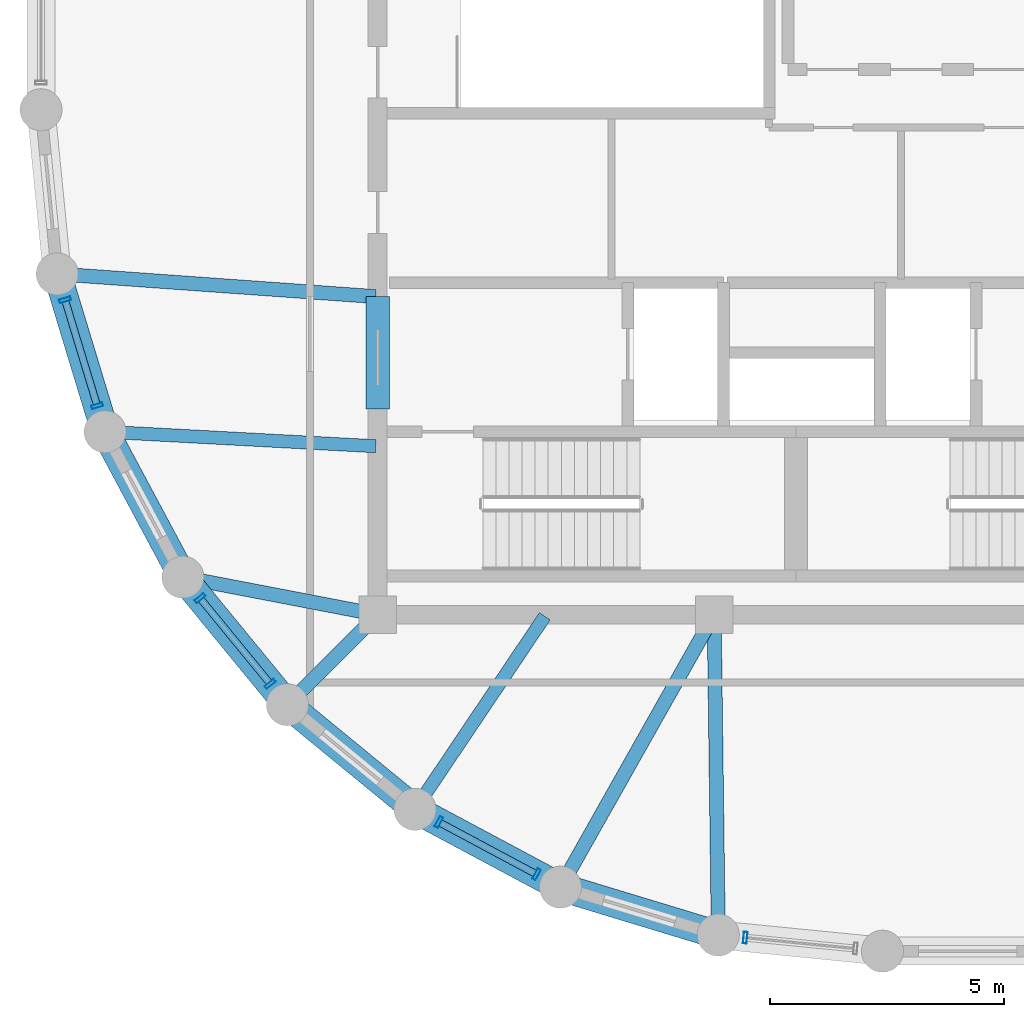
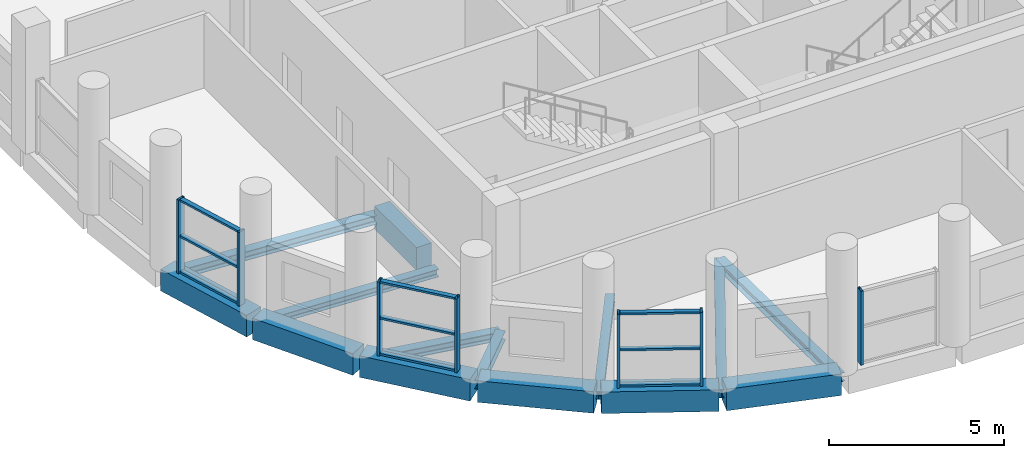
# One storey, part 2 of 14: 16 members, 14 beams, 4 elements without a shape of their own.
"""IFC4 building model written with IfcOpenShell, lengths in metres."""

from ifc_helpers import new_model, si_unit, direction, frame, origin, origin_2d, place, context, subcontext, project, spatial, rectangle, hollow_rectangle, i_section, extrude, material, layer, layer_set, material_profile, profile_set, type_object, element, aggregate, save


model = new_model("IFC4")

# Units and contexts
model_context = context("Model", 3, precision=1e-05, world=origin(), true_north=direction((0.0, 1.0)))
body_context = subcontext(model_context, "Body", "Model", "MODEL_VIEW")
ifc_project = project(units=[si_unit("LENGTHUNIT", "METRE"), si_unit("AREAUNIT", "SQUARE_METRE"), si_unit("VOLUMEUNIT", "CUBIC_METRE"), si_unit("PLANEANGLEUNIT", "RADIAN"), si_unit("MASSUNIT", "GRAM", prefix="KILO")], contexts=[model_context])

# Site, building, storey
site_placement = place(None, origin())
site = spatial("IfcSite", under=ifc_project, at=site_placement, CompositionType="ELEMENT")
building_placement = place(site_placement, origin())
building = spatial("IfcBuilding", under=site, at=building_placement, Name="Solnavia Interchange Tower", CompositionType="ELEMENT")
storey_placement = place(building_placement, frame((0.0, 0.0, 299.800048828125)))
storey = spatial("IfcBuildingStorey", under=building, at=storey_placement, Name="L76", CompositionType="ELEMENT", Elevation=299.800048828125)

# Beams
ifc_material_1 = material(Name="Concrete C50/60", Category="concrete")
ifc_material_profile_1 = material_profile(ifc_material_1, rectangle(XDim=0.5, YDim=0.800048828125, at=origin_2d()), Name="RC 500x800")
ifc_profile_set_1 = profile_set([ifc_material_profile_1], Name="Concrete C50/60")
beam_type_1 = type_object("IfcBeamType", Name="Beam-Coupling-RC500x800", PredefinedType="LINTEL", material=ifc_profile_set_1)
beam_1_placement = place(storey_placement, frame((14.39990234375, 15.199951171875, -0.400146484375), z_axis=(0.0, 1.0, 0.0), x_axis=(-1.0, 0.0, 0.0)))
element("IfcBeam", 1, at=beam_1_placement, inside=storey, type_object=beam_type_1, Name="CPB-L76-W1 Core coupling lintel beam", PredefinedType="LINTEL", context=body_context, shape_type="SweptSolid", body=[
    extrude(rectangle(XDim=0.5, YDim=0.800048828125, at=origin_2d()), origin(), (0.0, 0.0, 1.0), 2.400146484375),
])
ifc_material_2 = material(Name="Steel S460", Category="steel")
ifc_material_profile_2 = material_profile(ifc_material_2, i_section(OverallWidth=0.300048828125, OverallDepth=0.300048828125, WebThickness=0.010986328125, FlangeThickness=0.01904296875, FilletRadius=0.027099609375, at=origin_2d()), Name="HEB 300")
ifc_profile_set_2 = profile_set([ifc_material_profile_2], Name="Steel S460")
beam_type_2 = type_object("IfcBeamType", Name="Beam-Girder-HEB300", PredefinedType="BEAM", material=ifc_profile_set_2)
beam_2_placement = place(storey_placement, frame((10.3125, 11.5849609375, -0.400146484375), z_axis=(0.982057527796, -0.188581579428, 0.0), x_axis=(0.188581579428, 0.982057527796, 0.0)))
element("IfcBeam", 2, at=beam_2_placement, inside=storey, type_object=beam_type_2, Name="GRD-L76-DR07 Drum radial floor girder", PredefinedType="BEAM", context=body_context, shape_type="SweptSolid", body=[
    extrude(i_section(OverallWidth=0.300048828125, OverallDepth=0.300048828125, WebThickness=0.010986328125, FlangeThickness=0.01904296875, FilletRadius=0.027099609375, at=origin_2d()), origin(), (0.0, 0.0, 1.0), 4.1220703125),
])
beam_3_placement = place(storey_placement, frame((18.351318359375, 5.039794921875, -0.400146484375), z_axis=(0.491243158486, 0.871022479182, 0.0), x_axis=(-0.871022479182, 0.491243158486, 0.0)))
element("IfcBeam", 3, at=beam_3_placement, inside=storey, type_object=beam_type_2, Name="GRD-L76-DR10 Drum radial floor girder", PredefinedType="BEAM", context=body_context, shape_type="SweptSolid", body=[
    extrude(i_section(OverallWidth=0.300048828125, OverallDepth=0.300048828125, WebThickness=0.010986328125, FlangeThickness=0.01904296875, FilletRadius=0.027099609375, at=origin_2d()), origin(), (0.0, 0.0, 1.0), 6.5732421875),
])
ifc_material_3 = material(Name="Steel S355", Category="steel")
ifc_material_profile_3 = material_profile(ifc_material_3, i_section(OverallWidth=0.280029296875, OverallDepth=0.27001953125, WebThickness=0.008056640625, FlangeThickness=0.012939453125, FilletRadius=0.02392578125, at=origin_2d()), Name="HEA 280")
ifc_profile_set_3 = profile_set([ifc_material_profile_3], Name="Steel S355")
beam_type_3 = type_object("IfcBeamType", Name="Beam-Primary-HEA280", PredefinedType="BEAM", material=ifc_profile_set_3)
beam_4_placement = place(storey_placement, frame((8.64990234375, 14.707763671875, -0.385009765625), z_axis=(0.998570371303, -0.053452909696, 0.0), x_axis=(0.053452909696, 0.998570371303, 0.0)))
element("IfcBeam", 4, at=beam_4_placement, inside=storey, type_object=beam_type_3, Name="GRD-L76-DR06 Drum radial floor girder", PredefinedType="BEAM", context=body_context, shape_type="SweptSolid", body=[
    extrude(i_section(OverallWidth=0.280029296875, OverallDepth=0.27001953125, WebThickness=0.008056640625, FlangeThickness=0.012939453125, FilletRadius=0.02392578125, at=origin_2d()), origin(), (0.0, 0.0, 1.0), 5.71826171875),
])
beam_5_placement = place(storey_placement, frame((15.24462890625, 6.700439453125, -0.385009765625), z_axis=(0.557835474219, 0.829951555033, 0.0), x_axis=(-0.829951555033, 0.557835474219, 0.0)))
element("IfcBeam", 5, at=beam_5_placement, inside=storey, type_object=beam_type_3, Name="GRD-L76-DR09 Drum radial floor girder", PredefinedType="BEAM", context=body_context, shape_type="SweptSolid", body=[
    extrude(i_section(OverallWidth=0.280029296875, OverallDepth=0.27001953125, WebThickness=0.008056640625, FlangeThickness=0.012939453125, FilletRadius=0.02392578125, at=origin_2d()), origin(), (0.0, 0.0, 1.0), 4.899658203125),
])
ifc_material_profile_4 = material_profile(ifc_material_3, i_section(OverallWidth=0.300048828125, OverallDepth=0.31005859375, WebThickness=0.009033203125, FlangeThickness=0.015380859375, FilletRadius=0.027099609375, at=origin_2d()), Name="HEA 320")
ifc_profile_set_4 = profile_set([ifc_material_profile_4], Name="Steel S355")
beam_type_4 = type_object("IfcBeamType", Name="Beam-Primary-HEA320", PredefinedType="BEAM", material=ifc_profile_set_4)
beam_6_placement = place(storey_placement, frame((7.625732421875, 18.082275390625, -0.405029296875), z_axis=(0.99747482749, -0.071020902015, 0.0), x_axis=(0.071020902015, 0.99747482749, 0.0)))
element("IfcBeam", 6, at=beam_6_placement, inside=storey, type_object=beam_type_4, Name="GRD-L76-DR05 Drum radial floor girder", PredefinedType="BEAM", context=body_context, shape_type="SweptSolid", body=[
    extrude(i_section(OverallWidth=0.300048828125, OverallDepth=0.31005859375, WebThickness=0.009033203125, FlangeThickness=0.015380859375, FilletRadius=0.027099609375, at=origin_2d()), origin(), (0.0, 0.0, 1.0), 6.75146484375),
])
beam_7_placement = place(storey_placement, frame((12.528564453125, 8.9287109375, -0.405029296875), z_axis=(0.707106781187, 0.707106781187, 0.0), x_axis=(-0.707106781187, 0.707106781187, 0.0)))
element("IfcBeam", 7, at=beam_7_placement, inside=storey, type_object=beam_type_4, Name="GRD-L76-DR08 Drum radial floor girder", PredefinedType="BEAM", context=body_context, shape_type="SweptSolid", body=[
    extrude(i_section(OverallWidth=0.300048828125, OverallDepth=0.31005859375, WebThickness=0.009033203125, FlangeThickness=0.015380859375, FilletRadius=0.027099609375, at=origin_2d()), origin(), (0.0, 0.0, 1.0), 2.6064453125),
])
beam_8_placement = place(storey_placement, frame((21.68701171875, 4.02587890625, -0.405029296875), z_axis=(-0.01283293513, 0.999917654498, 0.0), x_axis=(-0.999917654498, -0.01283293513, 0.0)))
element("IfcBeam", 8, at=beam_8_placement, inside=storey, type_object=beam_type_4, Name="GRD-L76-DR11 Drum radial floor girder", PredefinedType="BEAM", context=body_context, shape_type="SweptSolid", body=[
    extrude(i_section(OverallWidth=0.300048828125, OverallDepth=0.31005859375, WebThickness=0.009033203125, FlangeThickness=0.015380859375, FilletRadius=0.027099609375, at=origin_2d()), origin(), (0.0, 0.0, 1.0), 6.734619140625),
])
ifc_material_profile_5 = material_profile(ifc_material_1, rectangle(XDim=0.60009765625, YDim=0.75, at=origin_2d()), Name="RC 600x750")
ifc_profile_set_5 = profile_set([ifc_material_profile_5], Name="Concrete C50/60")
beam_type_5 = type_object("IfcBeamType", Name="Beam-Spandrel-RC600x750", PredefinedType="SPANDREL", material=ifc_profile_set_5)
beam_9_placement = place(storey_placement, frame((7.569091796875, 18.011474609375, -0.375), z_axis=(0.290319223646, -0.956929855518, 0.0), x_axis=(0.956929855518, 0.290319223646, 0.0)))
element("IfcBeam", 9, at=beam_9_placement, inside=storey, type_object=beam_type_5, Name="SPB-L76-02 Framed-tube perimeter spandrel beam", PredefinedType="SPANDREL", context=body_context, shape_type="SweptSolid", body=[
    extrude(rectangle(XDim=0.60009765625, YDim=0.75, at=origin_2d()), origin(), (0.0, 0.0, 1.0), 3.367919921875),
])
beam_10_placement = place(storey_placement, frame((8.607666015625, 14.6416015625, -0.375), z_axis=(0.471509422952, -0.881861023102, 0.0), x_axis=(0.881861023102, 0.471509422952, 0.0)))
element("IfcBeam", 10, at=beam_10_placement, inside=storey, type_object=beam_type_5, Name="SPB-L76-03 Framed-tube perimeter spandrel beam", PredefinedType="SPANDREL", context=body_context, shape_type="SweptSolid", body=[
    extrude(rectangle(XDim=0.60009765625, YDim=0.75, at=origin_2d()), origin(), (0.0, 0.0, 1.0), 3.369140625),
])
for number, where, z_axis, x_axis, name in (
    (11, (10.28466796875, 11.5380859375, -0.375), (0.634298841675, -0.773087950656, 0.0), (0.773087950656, 0.634298841675, 0.0), "SPB-L76-04 Framed-tube perimeter spandrel beam"),
    (12, (12.53369140625, 8.8212890625, -0.375), (0.773152644452, -0.634219984214, 0.0), (0.634219984214, 0.773152644452, 0.0), "SPB-L76-05 Framed-tube perimeter spandrel beam"),
):
    element("IfcBeam", number, at=place(storey_placement, frame(where, z_axis=z_axis, x_axis=x_axis)), inside=storey, type_object=beam_type_5, Name=name, PredefinedType="SPANDREL", context=body_context, shape_type="SweptSolid", body=[
        extrude(rectangle(XDim=0.60009765625, YDim=0.75, at=origin_2d()), origin(), (0.0, 0.0, 1.0), 3.36865234375),
    ])
beam_11_placement = place(storey_placement, frame((15.2705078125, 6.59619140625, -0.375), z_axis=(0.881875044348, -0.47148319817, 0.0), x_axis=(0.47148319817, 0.881875044348, 0.0)))
element("IfcBeam", 13, at=beam_11_placement, inside=storey, type_object=beam_type_5, Name="SPB-L76-06 Framed-tube perimeter spandrel beam", PredefinedType="SPANDREL", context=body_context, shape_type="SweptSolid", body=[
    extrude(rectangle(XDim=0.60009765625, YDim=0.75, at=origin_2d()), origin(), (0.0, 0.0, 1.0), 3.368896484375),
])
beam_12_placement = place(storey_placement, frame((18.388671875, 4.94677734375, -0.375), z_axis=(0.956943884494, -0.290272978297, 0.0), x_axis=(0.290272978297, 0.956943884494, 0.0)))
element("IfcBeam", 14, at=beam_12_placement, inside=storey, type_object=beam_type_5, Name="SPB-L76-07 Framed-tube perimeter spandrel beam", PredefinedType="SPANDREL", context=body_context, shape_type="SweptSolid", body=[
    extrude(rectangle(XDim=0.60009765625, YDim=0.75, at=origin_2d()), origin(), (0.0, 0.0, 1.0), 3.36767578125),
])

# Curtain wall, members
ifc_material_4 = material(Name="Aluminium Alloy 6063-T6", Category="aluminium")
ifc_layer = layer(ifc_material_4, 0.27001953125)
ifc_layer_set = layer_set([ifc_layer], Name="Aluminium Alloy 6063-T6")
curtain_wall_type = type_object("IfcCurtainWallType", Name="CurtainWall-SkyLobby-CTW4", PredefinedType="NOTDEFINED", material=ifc_layer_set)
curtain_wall_1_placement = place(storey_placement, origin())
curtain_wall_1 = element("IfcCurtainWall", 15, at=curtain_wall_1_placement, inside=storey, type_object=curtain_wall_type, Name="CTW-L76-S38 CTW-4 curtain wall", PredefinedType="NOTDEFINED")
ifc_material_profile_6 = material_profile(ifc_material_4, hollow_rectangle(XDim=0.080078125, YDim=0.25, WallThickness=0.006103515625, at=origin_2d()), Name="ALU 250x80x6")
ifc_profile_set_6 = profile_set([ifc_material_profile_6], Name="Aluminium Alloy 6063-T6")
member_type_1 = type_object("IfcMemberType", Name="CW-Mullion-CWM-4", PredefinedType="MULLION", material=ifc_profile_set_6)
member_1_placement = place(storey_placement, frame((7.71435546875, 17.532958984375, 0.0), z_axis=(0.0, 0.0, 1.0), x_axis=(0.290299913815, -0.95693571364, 0.0)))
member_1 = element("IfcMember", 16, at=member_1_placement, type_object=member_type_1, Name="CTW-4 mullion 1", PredefinedType="MULLION", context=body_context, shape_type="SweptSolid", body=[
    extrude(hollow_rectangle(XDim=0.080078125, YDim=0.25, WallThickness=0.006103515625, at=origin_2d()), origin(), (0.0, 0.0, 1.0), 2.579833984375),
])
member_2_placement = place(storey_placement, frame((8.401611328125, 15.26708984375, 0.0), z_axis=(0.0, 0.0, 1.0), x_axis=(0.290299913815, -0.95693571364, 0.0)))
member_2 = element("IfcMember", 17, at=member_2_placement, type_object=member_type_1, Name="CTW-4 mullion 2", PredefinedType="MULLION", context=body_context, shape_type="SweptSolid", body=[
    extrude(hollow_rectangle(XDim=0.080078125, YDim=0.25, WallThickness=0.006103515625, at=origin_2d()), origin(), (0.0, 0.0, 1.0), 2.579833984375),
])

curtain_wall_2_placement = place(storey_placement, origin())
curtain_wall_2 = element("IfcCurtainWall", 18, at=curtain_wall_2_placement, inside=storey, type_object=curtain_wall_type, Name="CTW-L76-S40 CTW-4 curtain wall", PredefinedType="NOTDEFINED")
member_3_placement = place(storey_placement, frame((10.601806640625, 11.151611328125, 0.0), z_axis=(0.0, 0.0, 1.0), x_axis=(0.634260283155, -0.773119585324, 0.0)))
member_3 = element("IfcMember", 19, at=member_3_placement, type_object=member_type_1, Name="CTW-4 mullion 1", PredefinedType="MULLION", context=body_context, shape_type="SweptSolid", body=[
    extrude(hollow_rectangle(XDim=0.080078125, YDim=0.25, WallThickness=0.006103515625, at=origin_2d()), origin(), (0.0, 0.0, 1.0), 2.579833984375),
])
member_4_placement = place(storey_placement, frame((12.104248046875, 9.3203125, 0.0), z_axis=(0.0, 0.0, 1.0), x_axis=(0.634260283155, -0.773119585324, 0.0)))
member_4 = element("IfcMember", 20, at=member_4_placement, type_object=member_type_1, Name="CTW-4 mullion 2", PredefinedType="MULLION", context=body_context, shape_type="SweptSolid", body=[
    extrude(hollow_rectangle(XDim=0.080078125, YDim=0.25, WallThickness=0.006103515625, at=origin_2d()), origin(), (0.0, 0.0, 1.0), 2.579833984375),
])

curtain_wall_3_placement = place(storey_placement, origin())
curtain_wall_3 = element("IfcCurtainWall", 21, at=curtain_wall_3_placement, inside=storey, type_object=curtain_wall_type, Name="CTW-L76-S42 CTW-4 curtain wall", PredefinedType="NOTDEFINED")
member_5_placement = place(storey_placement, frame((15.71142578125, 6.360595703125, 0.0), z_axis=(0.0, 0.0, 1.0), x_axis=(0.881841507156, -0.471545921683, 0.0)))
member_5 = element("IfcMember", 22, at=member_5_placement, type_object=member_type_1, Name="CTW-4 mullion 1", PredefinedType="MULLION", context=body_context, shape_type="SweptSolid", body=[
    extrude(hollow_rectangle(XDim=0.080078125, YDim=0.25, WallThickness=0.006103515625, at=origin_2d()), origin(), (0.0, 0.0, 1.0), 2.579833984375),
])
member_6_placement = place(storey_placement, frame((17.800537109375, 5.243408203125, 0.0), z_axis=(0.0, 0.0, 1.0), x_axis=(0.881841507156, -0.471545921683, 0.0)))
member_6 = element("IfcMember", 23, at=member_6_placement, type_object=member_type_1, Name="CTW-4 mullion 2", PredefinedType="MULLION", context=body_context, shape_type="SweptSolid", body=[
    extrude(hollow_rectangle(XDim=0.080078125, YDim=0.25, WallThickness=0.006103515625, at=origin_2d()), origin(), (0.0, 0.0, 1.0), 2.579833984375),
])

# Curtain wall, member
curtain_wall_4_placement = place(storey_placement, origin())
curtain_wall_4 = element("IfcCurtainWall", 24, at=curtain_wall_4_placement, inside=storey, type_object=curtain_wall_type, Name="CTW-L76-S44 CTW-4 curtain wall", PredefinedType="NOTDEFINED")
member_7_placement = place(storey_placement, frame((22.26513671875, 3.88916015625, 0.0), z_axis=(0.0, 0.0, 1.0), x_axis=(0.995178481157, -0.098080531415, 0.0)))
member_7 = element("IfcMember", 25, at=member_7_placement, type_object=member_type_1, Name="CTW-4 mullion 1", PredefinedType="MULLION", context=body_context, shape_type="SweptSolid", body=[
    extrude(hollow_rectangle(XDim=0.080078125, YDim=0.25, WallThickness=0.006103515625, at=origin_2d()), origin(), (0.0, 0.0, 1.0), 2.579833984375),
])
aggregate(curtain_wall_4, [member_7])

# Member
ifc_material_profile_7 = material_profile(ifc_material_4, hollow_rectangle(XDim=0.070068359375, YDim=0.14990234375, WallThickness=0.00439453125, at=origin_2d()), Name="ALU 150x70x4.5")
ifc_profile_set_7 = profile_set([ifc_material_profile_7], Name="Aluminium Alloy 6063-T6")
member_type_2 = type_object("IfcMemberType", Name="CW-Transom-CWT-4", PredefinedType="USERDEFINED", material=ifc_profile_set_7)
member_8_placement = place(storey_placement, frame((7.725830078125, 17.49462890625, 0.034912109375), z_axis=(0.290371677406, -0.956913940206, 0.0), x_axis=(0.0, 0.0, 1.0)))
member_8 = element("IfcMember", 26, at=member_8_placement, type_object=member_type_2, Name="CTW-4 transom 1.1", ObjectType="TRANSOM", PredefinedType="USERDEFINED", context=body_context, shape_type="SweptSolid", body=[
    extrude(hollow_rectangle(XDim=0.070068359375, YDim=0.14990234375, WallThickness=0.00439453125, at=origin_2d()), origin(), (0.0, 0.0, 1.0), 2.287841796875),
])

member_9_placement = place(storey_placement, frame((7.725830078125, 17.49462890625, 1.2900390625), z_axis=(0.290371677406, -0.956913940206, 0.0), x_axis=(0.0, 0.0, 1.0)))
member_9 = element("IfcMember", 27, at=member_9_placement, type_object=member_type_2, Name="CTW-4 transom 1.2", ObjectType="TRANSOM", PredefinedType="USERDEFINED", context=body_context, shape_type="SweptSolid", body=[
    extrude(hollow_rectangle(XDim=0.070068359375, YDim=0.14990234375, WallThickness=0.00439453125, at=origin_2d()), origin(), (0.0, 0.0, 1.0), 2.287841796875),
])

member_10_placement = place(storey_placement, frame((7.725830078125, 17.49462890625, 2.544921875), z_axis=(0.290371677406, -0.956913940206, 0.0), x_axis=(0.0, 0.0, 1.0)))
member_10 = element("IfcMember", 28, at=member_10_placement, type_object=member_type_2, Name="CTW-4 transom 1.3", ObjectType="TRANSOM", PredefinedType="USERDEFINED", context=body_context, shape_type="SweptSolid", body=[
    extrude(hollow_rectangle(XDim=0.070068359375, YDim=0.14990234375, WallThickness=0.00439453125, at=origin_2d()), origin(), (0.0, 0.0, 1.0), 2.287841796875),
])

aggregate(curtain_wall_1, [member_1, member_2, member_8, member_9, member_10])

member_11_placement = place(storey_placement, frame((10.627197265625, 11.12060546875, 0.034912109375), z_axis=(0.634300264207, -0.773086783503, 0.0), x_axis=(0.0, 0.0, 1.0)))
member_11 = element("IfcMember", 29, at=member_11_placement, type_object=member_type_2, Name="CTW-4 transom 1.1", ObjectType="TRANSOM", PredefinedType="USERDEFINED", context=body_context, shape_type="SweptSolid", body=[
    extrude(hollow_rectangle(XDim=0.070068359375, YDim=0.14990234375, WallThickness=0.00439453125, at=origin_2d()), origin(), (0.0, 0.0, 1.0), 2.28857421875),
])

member_12_placement = place(storey_placement, frame((10.627197265625, 11.12060546875, 1.2900390625), z_axis=(0.634300264207, -0.773086783503, 0.0), x_axis=(0.0, 0.0, 1.0)))
member_12 = element("IfcMember", 30, at=member_12_placement, type_object=member_type_2, Name="CTW-4 transom 1.2", ObjectType="TRANSOM", PredefinedType="USERDEFINED", context=body_context, shape_type="SweptSolid", body=[
    extrude(hollow_rectangle(XDim=0.070068359375, YDim=0.14990234375, WallThickness=0.00439453125, at=origin_2d()), origin(), (0.0, 0.0, 1.0), 2.28857421875),
])

member_13_placement = place(storey_placement, frame((10.627197265625, 11.12060546875, 2.544921875), z_axis=(0.634300264207, -0.773086783503, 0.0), x_axis=(0.0, 0.0, 1.0)))
member_13 = element("IfcMember", 31, at=member_13_placement, type_object=member_type_2, Name="CTW-4 transom 1.3", ObjectType="TRANSOM", PredefinedType="USERDEFINED", context=body_context, shape_type="SweptSolid", body=[
    extrude(hollow_rectangle(XDim=0.070068359375, YDim=0.14990234375, WallThickness=0.00439453125, at=origin_2d()), origin(), (0.0, 0.0, 1.0), 2.28857421875),
])

aggregate(curtain_wall_2, [member_3, member_4, member_11, member_12, member_13])

member_14_placement = place(storey_placement, frame((15.746826171875, 6.341796875, 0.034912109375), z_axis=(0.881779483684, -0.471661893897, 0.0), x_axis=(0.0, 0.0, 1.0)))
member_14 = element("IfcMember", 32, at=member_14_placement, type_object=member_type_2, Name="CTW-4 transom 1.1", ObjectType="TRANSOM", PredefinedType="USERDEFINED", context=body_context, shape_type="SweptSolid", body=[
    extrude(hollow_rectangle(XDim=0.070068359375, YDim=0.14990234375, WallThickness=0.00439453125, at=origin_2d()), origin(), (0.0, 0.0, 1.0), 2.288818359375),
])

member_15_placement = place(storey_placement, frame((15.746826171875, 6.341796875, 1.2900390625), z_axis=(0.881779483684, -0.471661893897, 0.0), x_axis=(0.0, 0.0, 1.0)))
member_15 = element("IfcMember", 33, at=member_15_placement, type_object=member_type_2, Name="CTW-4 transom 1.2", ObjectType="TRANSOM", PredefinedType="USERDEFINED", context=body_context, shape_type="SweptSolid", body=[
    extrude(hollow_rectangle(XDim=0.070068359375, YDim=0.14990234375, WallThickness=0.00439453125, at=origin_2d()), origin(), (0.0, 0.0, 1.0), 2.288818359375),
])

member_16_placement = place(storey_placement, frame((15.746826171875, 6.341796875, 2.544921875), z_axis=(0.881779483684, -0.471661893897, 0.0), x_axis=(0.0, 0.0, 1.0)))
member_16 = element("IfcMember", 34, at=member_16_placement, type_object=member_type_2, Name="CTW-4 transom 1.3", ObjectType="TRANSOM", PredefinedType="USERDEFINED", context=body_context, shape_type="SweptSolid", body=[
    extrude(hollow_rectangle(XDim=0.070068359375, YDim=0.14990234375, WallThickness=0.00439453125, at=origin_2d()), origin(), (0.0, 0.0, 1.0), 2.288818359375),
])

aggregate(curtain_wall_3, [member_5, member_6, member_14, member_15, member_16])

save(model, "model.ifc")
